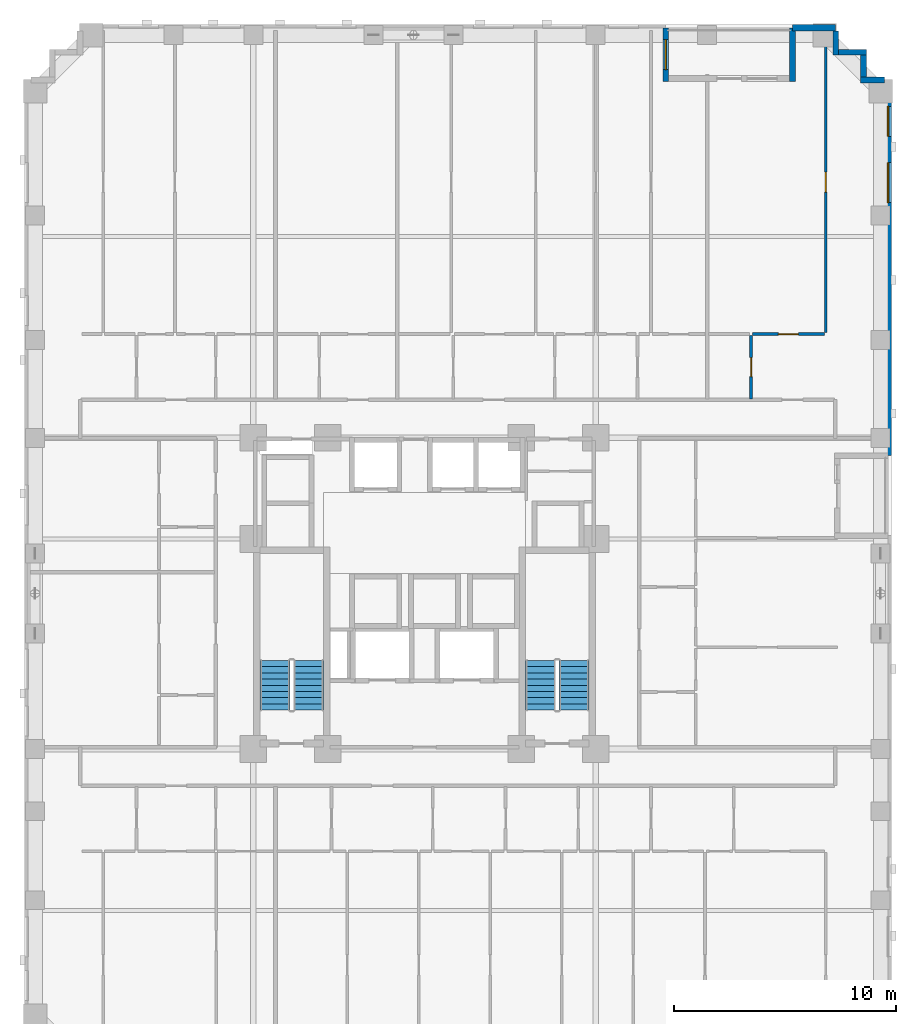
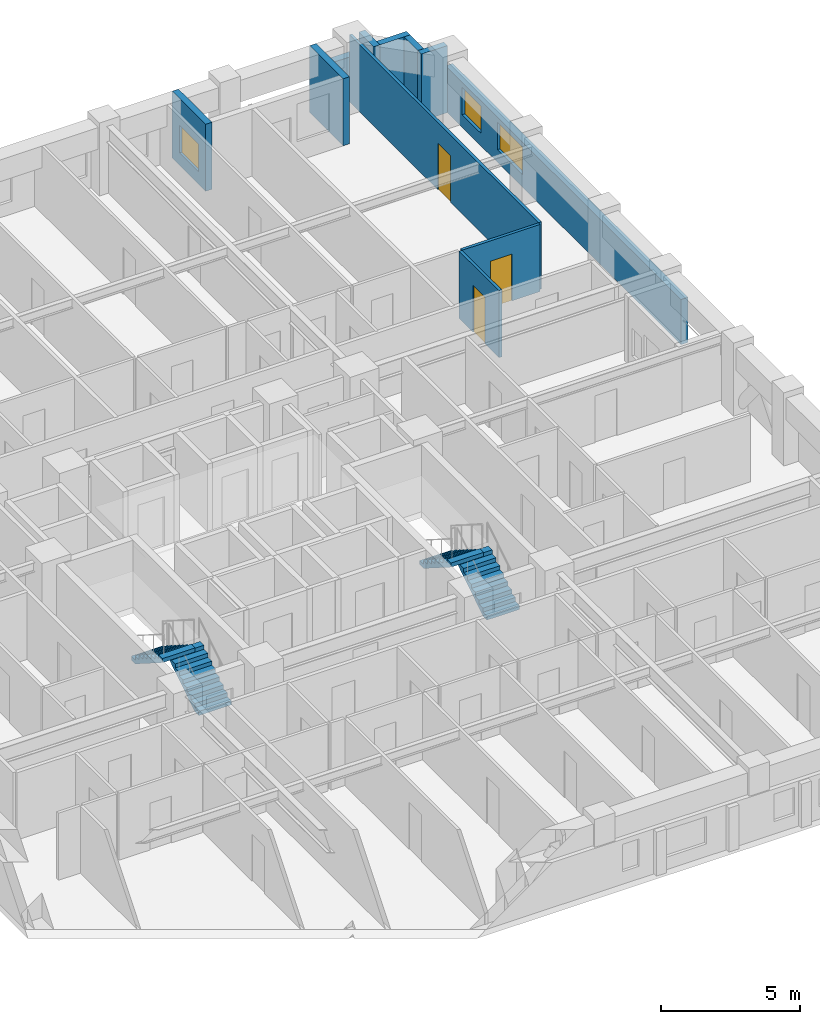
# One storey, part 9 of 14: 11 walls, 4 stair flights, 3 doors, 3 windows, 6 openings, 2 elements without a shape of their own.
"""IFC4 building model written with IfcOpenShell, lengths in metres."""

from ifc_helpers import new_model, si_unit, derived_unit, direction, frame, frame_2d, origin, place, context, subcontext, project, spatial, polyline, rectangle, outline, extrude, material, layer, layer_set, type_object, element, fill, aggregate, save


model = new_model("IFC4")

# Units and contexts
model_context = context("Model", 3, precision=1e-05, world=origin(), true_north=direction((0.0, 1.0)))
body_context = subcontext(model_context, "Body", "Model", "MODEL_VIEW")
ifc_project = project(units=[si_unit("LENGTHUNIT", "METRE"), si_unit("AREAUNIT", "SQUARE_METRE"), si_unit("VOLUMEUNIT", "CUBIC_METRE"), si_unit("PLANEANGLEUNIT", "RADIAN"), si_unit("MASSUNIT", "GRAM", prefix="KILO"), derived_unit("THERMALTRANSMITTANCEUNIT", [(si_unit("MASSUNIT", "GRAM", prefix="KILO"), 1), (si_unit("TIMEUNIT", "SECOND"), -3), (si_unit("THERMODYNAMICTEMPERATUREUNIT", "KELVIN"), -1)])], contexts=[model_context])

# Site, building, storey
site_placement = place(None, origin())
site = spatial("IfcSite", under=ifc_project, at=site_placement, CompositionType="ELEMENT")
building_placement = place(site_placement, origin())
building = spatial("IfcBuilding", under=site, at=building_placement, Name="Korrvale Station Residences", CompositionType="ELEMENT")
storey_placement = place(building_placement, frame((0.0, 0.0, 61.0)))
storey = spatial("IfcBuildingStorey", under=building, at=storey_placement, Name="L16", CompositionType="ELEMENT", Elevation=61.0)

# Wall, opening, window
ifc_material_1 = material(Name="Precast concrete C45/55", Category="concrete")
ifc_layer_1 = layer(ifc_material_1, 0.260009765625, Name="Precast concrete C45/55")
ifc_layer_set_1 = layer_set([ifc_layer_1], Name="Precast concrete C45/55")
wall_type_1 = type_object("IfcWallType", Name="WAL-EXT-LOG260", PredefinedType="SOLIDWALL", material=ifc_layer_set_1)
wall_1_placement = place(storey_placement, frame((36.35009765625, 47.43994140625, 0.0), z_axis=(0.0, 0.0, 1.0), x_axis=(0.0, -1.0, 0.0)))
wall_1 = element("IfcWall", 1, at=wall_1_placement, inside=storey, type_object=wall_type_1, Name="L16 Recessed Loggia Wall BAL-L16-N1-L", PredefinedType="SOLIDWALL", context=body_context, shape_type="SweptSolid", body=[
    extrude(rectangle(XDim=2.39990234375, YDim=0.260009765625, at=frame_2d((1.199951171875, 0.0))), origin(), (0.0, 0.0, 1.0), 2.93994140625),
])
opening_1_placement = place(wall_1_placement, frame((0.52490234375, 0.0, 0.550048828125)))
opening_1 = element("IfcOpeningElement", 2, at=opening_1_placement, cuts=wall_1, Name="Opening W-10", PredefinedType="OPENING", context=body_context, shape_type="SweptSolid", body=[
    extrude(rectangle(XDim=1.35009765625, YDim=1.199951171875, at=frame_2d((0.675048828125, 0.60009765625))), frame((0.0, 0.14013671875, 0.0), z_axis=(0.0, -1.0, 0.0), x_axis=(1.0, 0.0, 0.0)), (0.0, 0.0, 1.0), 0.280029296875),
])
ifc_material_2 = material(Name="Thermally broken aluminium frame with triple low-e glazing", Category="aluminium")
window_type_1 = type_object("IfcWindowType", Name="WIN-W10", PartitioningType="SINGLE_PANEL", PredefinedType="WINDOW", material=ifc_material_2)
window_1_placement = place(opening_1_placement, origin())
window_1 = element("IfcWindow", 3, at=window_1_placement, inside=storey, type_object=window_type_1, Name="L16 Punched Window 21", OverallHeight=1.199951171875, OverallWidth=1.35009765625, PartitioningType="SINGLE_PANEL", PredefinedType="WINDOW", context=body_context, shape_type="SweptSolid", body=[
    extrude(rectangle(XDim=1.35009765625, YDim=1.199951171875, at=frame_2d((0.675048828125, 0.60009765625))), frame((0.0, 0.030029296875, 0.0), z_axis=(0.0, -1.0, 0.0), x_axis=(1.0, 0.0, 0.0)), (0.0, 0.0, 1.0), 0.06005859375),
])
fill(opening_1, window_1)

# Walls
wall_2_placement = place(storey_placement, frame((42.050048828125, 45.0400390625, 0.0), z_axis=(0.0, 0.0, 1.0), x_axis=(0.0, 1.0, 0.0)))
element("IfcWall", 4, at=wall_2_placement, inside=storey, type_object=wall_type_1, Name="L16 Recessed Loggia Wall BAL-L16-N1-R", PredefinedType="SOLIDWALL", context=body_context, shape_type="SweptSolid", body=[
    extrude(rectangle(XDim=2.39990234375, YDim=0.260009765625, at=frame_2d((1.199951171875, 0.0))), origin(), (0.0, 0.0, 1.0), 2.93994140625),
])
wall_3_placement = place(storey_placement, frame((44.0, 47.298095703125, 0.0), z_axis=(0.0, 0.0, 1.0), x_axis=(0.0, -1.0, 0.0)))
element("IfcWall", 5, at=wall_3_placement, inside=storey, type_object=wall_type_1, Name="L16 Serrated Corner Precast Step NE-1", PredefinedType="SOLIDWALL", context=body_context, shape_type="SweptSolid", body=[
    extrude(rectangle(XDim=1.078125, YDim=0.260009765625, at=frame_2d((0.5390625, 0.0))), origin(), (0.0, 0.0, 1.0), 2.93994140625),
])
wall_4_placement = place(storey_placement, frame((44.132080078125, 46.35009765625, 0.0), z_axis=(0.0, 0.0, 1.0), x_axis=(1.0, 0.0, 0.0)))
element("IfcWall", 6, at=wall_4_placement, inside=storey, type_object=wall_type_1, Name="L16 Serrated Corner Precast Step NE-2", PredefinedType="SOLIDWALL", context=body_context, shape_type="SweptSolid", body=[
    extrude(rectangle(XDim=1.247802734375, YDim=0.260009765625, at=frame_2d((0.6240234375, 0.0))), origin(), (0.0, 0.0, 1.0), 2.93994140625),
])
wall_5_placement = place(storey_placement, frame((45.25, 46.218017578125, 0.0), z_axis=(0.0, 0.0, 1.0), x_axis=(0.0, -1.0, 0.0)))
element("IfcWall", 7, at=wall_5_placement, inside=storey, type_object=wall_type_1, Name="L16 Serrated Corner Precast Step NE-3", PredefinedType="SOLIDWALL", context=body_context, shape_type="SweptSolid", body=[
    extrude(rectangle(XDim=0.986083984375, YDim=0.260009765625, at=frame_2d((0.4931640625, 0.0))), origin(), (0.0, 0.0, 1.0), 2.93994140625),
])
wall_6_placement = place(storey_placement, frame((45.1201171875, 45.10009765625, 0.0), z_axis=(0.0, 0.0, 1.0), x_axis=(1.0, 0.0, 0.0)))
element("IfcWall", 8, at=wall_6_placement, inside=storey, type_object=wall_type_1, Name="L16 Serrated Corner Precast Step NE-4", PredefinedType="SOLIDWALL", context=body_context, shape_type="SweptSolid", body=[
    extrude(rectangle(XDim=1.077880859375, YDim=0.260009765625, at=frame_2d((0.5390625, 0.0))), origin(), (0.0, 0.0, 1.0), 2.93994140625),
])
ifc_layer_2 = layer(ifc_material_1, 0.300048828125, Name="Precast concrete C45/55")
ifc_layer_set_2 = layer_set([ifc_layer_2], Name="Precast concrete C45/55")
wall_type_2 = type_object("IfcWallType", Name="WAL-EXT-PC300", PredefinedType="SOLIDWALL", material=ifc_layer_set_2)
wall_7_placement = place(storey_placement, frame((42.050048828125, 47.449951171875, 0.0), z_axis=(0.0, 0.0, 1.0), x_axis=(1.0, 0.0, 0.0)))
element("IfcWall", 9, at=wall_7_placement, inside=storey, type_object=wall_type_2, Name="L16 North Exterior Precast Wall 2", PredefinedType="SOLIDWALL", context=body_context, shape_type="SweptSolid", body=[
    extrude(rectangle(XDim=1.949951171875, YDim=0.300048828125, at=frame_2d((0.97509765625, 0.0))), origin(), (0.0, 0.0, 1.0), 1.97509765625),
])

# Wall, openings, windows
wall_8_placement = place(storey_placement, frame((46.35009765625, 45.10009765625, 0.0), z_axis=(0.0, 0.0, 1.0), x_axis=(0.0, -1.0, 0.0)))
wall_8 = element("IfcWall", 10, at=wall_8_placement, inside=storey, type_object=wall_type_2, Name="L16 East Exterior Precast Wall 1", PredefinedType="SOLIDWALL", context=body_context, shape_type="SweptSolid", body=[
    extrude(rectangle(XDim=16.900146484375, YDim=0.300048828125, at=frame_2d((8.4501953125, 0.0))), origin(), (0.0, 0.0, 1.0), 1.97509765625),
])
opening_2_placement = place(wall_8_placement, frame((3.715087890625, 0.0, 0.550048828125)))
opening_2 = element("IfcOpeningElement", 11, at=opening_2_placement, cuts=wall_8, Name="Opening W-09", PredefinedType="OPENING", context=body_context, shape_type="SweptSolid", body=[
    extrude(rectangle(XDim=1.800048828125, YDim=1.199951171875, at=frame_2d((0.89990234375, 0.60009765625))), frame((0.0, 0.16015625, 0.0), z_axis=(0.0, -1.0, 0.0), x_axis=(1.0, 0.0, 0.0)), (0.0, 0.0, 1.0), 0.320068359375),
])
opening_3_placement = place(wall_8_placement, frame((1.18505859375, 0.0, 0.550048828125)))
opening_3 = element("IfcOpeningElement", 12, at=opening_3_placement, cuts=wall_8, Name="Opening W-10", PredefinedType="OPENING", context=body_context, shape_type="SweptSolid", body=[
    extrude(rectangle(XDim=1.35009765625, YDim=1.199951171875, at=frame_2d((0.675048828125, 0.60009765625))), frame((0.0, 0.16015625, 0.0), z_axis=(0.0, -1.0, 0.0), x_axis=(1.0, 0.0, 0.0)), (0.0, 0.0, 1.0), 0.320068359375),
])
window_type_2 = type_object("IfcWindowType", Name="WIN-W09", PartitioningType="DOUBLE_PANEL_VERTICAL", PredefinedType="WINDOW", material=ifc_material_2)
window_2_placement = place(opening_2_placement, origin())
window_2 = element("IfcWindow", 13, at=window_2_placement, inside=storey, type_object=window_type_2, Name="L16 Punched Window 23", OverallHeight=1.199951171875, OverallWidth=1.800048828125, PartitioningType="DOUBLE_PANEL_VERTICAL", PredefinedType="WINDOW", context=body_context, shape_type="SweptSolid", body=[
    extrude(rectangle(XDim=1.800048828125, YDim=1.199951171875, at=frame_2d((0.89990234375, 0.60009765625))), frame((0.0, 0.030029296875, 0.0), z_axis=(0.0, -1.0, 0.0), x_axis=(1.0, 0.0, 0.0)), (0.0, 0.0, 1.0), 0.06005859375),
])
fill(opening_2, window_2)
window_3_placement = place(opening_3_placement, origin())
window_3 = element("IfcWindow", 14, at=window_3_placement, inside=storey, type_object=window_type_1, Name="L16 Punched Window 24", OverallHeight=1.199951171875, OverallWidth=1.35009765625, PartitioningType="SINGLE_PANEL", PredefinedType="WINDOW", context=body_context, shape_type="SweptSolid", body=[
    extrude(rectangle(XDim=1.35009765625, YDim=1.199951171875, at=frame_2d((0.675048828125, 0.60009765625))), frame((0.0, 0.030029296875, 0.0), z_axis=(0.0, -1.0, 0.0), x_axis=(1.0, 0.0, 0.0)), (0.0, 0.0, 1.0), 0.06005859375),
])
fill(opening_3, window_3)

# Wall, opening, door
ifc_material_3 = material(Name="Acoustic steel-stud gypsum board partition", Category="steel")
ifc_layer_3 = layer(ifc_material_3, 0.1201171875, Name="Acoustic steel-stud gypsum board partition")
ifc_layer_set_3 = layer_set([ifc_layer_3], Name="Acoustic steel-stud gypsum board partition")
wall_type_3 = type_object("IfcWallType", Name="WAL-PART-125", PredefinedType="PARTITIONING", material=ifc_layer_set_3)
wall_9_placement = place(storey_placement, frame((40.18994140625, 30.760009765625, 0.0), z_axis=(0.0, 0.0, 1.0), x_axis=(0.0, 1.0, 0.0)))
wall_9 = element("IfcWall", 15, at=wall_9_placement, inside=storey, type_object=wall_type_3, Name="L16 Suite Partition U06-V01", PredefinedType="PARTITIONING", context=body_context, shape_type="SweptSolid", body=[
    extrude(rectangle(XDim=2.85009765625, YDim=0.1201171875, at=frame_2d((1.425048828125, 0.0))), origin(), (0.0, 0.0, 1.0), 2.93994140625),
])
opening_4_placement = place(wall_9_placement, frame((0.9951171875, 0.0, 0.0)))
opening_4 = element("IfcOpeningElement", 16, at=opening_4_placement, cuts=wall_9, Name="Opening DB-860", PredefinedType="OPENING", context=body_context, shape_type="SweptSolid", body=[
    extrude(rectangle(XDim=0.860107421875, YDim=2.050048828125, at=frame_2d((0.43017578125, 1.02490234375))), frame((0.0, 0.070068359375, 0.0), z_axis=(0.0, -1.0, 0.0), x_axis=(1.0, 0.0, 0.0)), (0.0, 0.0, 1.0), 0.14013671875),
])
ifc_material_4 = material(Name="Moisture-resistant solid-core bathroom door", Category="timber")
door_type_1 = type_object("IfcDoorType", Name="DR-BATH-860", OperationType="NOTDEFINED", PredefinedType="DOOR", material=ifc_material_4)
door_1_placement = place(opening_4_placement, origin())
door_1 = element("IfcDoor", 17, at=door_1_placement, inside=storey, type_object=door_type_1, Name="L16 Studio Apartment L16-U06 Bathroom Door", OperationType="SINGLE_SWING_LEFT", OverallHeight=2.050048828125, OverallWidth=0.860107421875, PredefinedType="DOOR", context=body_context, shape_type="SweptSolid", body=[
    extrude(rectangle(XDim=0.860107421875, YDim=2.050048828125, at=frame_2d((0.43017578125, 1.02490234375))), frame((0.0, 0.02490234375, 0.0), z_axis=(0.0, -1.0, 0.0), x_axis=(1.0, 0.0, 0.0)), (0.0, 0.0, 1.0), 0.050048828125),
])
fill(opening_4, door_1)

wall_10_placement = place(storey_placement, frame((40.25, 33.669921875, 0.0), z_axis=(0.0, 0.0, 1.0), x_axis=(1.0, 0.0, 0.0)))
wall_10 = element("IfcWall", 18, at=wall_10_placement, inside=storey, type_object=wall_type_3, Name="L16 Suite Partition U06-H12", PredefinedType="PARTITIONING", context=body_context, shape_type="SweptSolid", body=[
    extrude(rectangle(XDim=3.239990234375, YDim=0.1201171875, at=frame_2d((1.6201171875, 0.0))), origin(), (0.0, 0.0, 1.0), 2.93994140625),
])
opening_5_placement = place(wall_10_placement, frame((1.169921875, 0.0, 0.0)))
opening_5 = element("IfcOpeningElement", 19, at=opening_5_placement, cuts=wall_10, Name="Opening DI-900", PredefinedType="OPENING", context=body_context, shape_type="SweptSolid", body=[
    extrude(rectangle(XDim=0.89990234375, YDim=2.050048828125, at=frame_2d((0.449951171875, 1.02490234375))), frame((0.0, 0.070068359375, 0.0), z_axis=(0.0, -1.0, 0.0), x_axis=(1.0, 0.0, 0.0)), (0.0, 0.0, 1.0), 0.14013671875),
])
ifc_material_5 = material(Name="Painted solid-core timber interior room door", Category="wood")
door_type_2 = type_object("IfcDoorType", Name="DR-INT-900", OperationType="NOTDEFINED", PredefinedType="DOOR", material=ifc_material_5)
door_2_placement = place(opening_5_placement, origin())
door_2 = element("IfcDoor", 20, at=door_2_placement, inside=storey, type_object=door_type_2, Name="L16 Studio Apartment L16-U06 Kitchen Door", OperationType="SINGLE_SWING_RIGHT", OverallHeight=2.050048828125, OverallWidth=0.89990234375, PredefinedType="DOOR", context=body_context, shape_type="SweptSolid", body=[
    extrude(rectangle(XDim=0.89990234375, YDim=2.050048828125, at=frame_2d((0.449951171875, 1.02490234375))), frame((0.0, 0.02490234375, 0.0), z_axis=(0.0, -1.0, 0.0), x_axis=(1.0, 0.0, 0.0)), (0.0, 0.0, 1.0), 0.050048828125),
])
fill(opening_5, door_2)

wall_11_placement = place(storey_placement, frame((43.550048828125, 33.72998046875, 0.0), z_axis=(0.0, 0.0, 1.0), x_axis=(0.0, 1.0, 0.0)))
wall_11 = element("IfcWall", 21, at=wall_11_placement, inside=storey, type_object=wall_type_3, Name="L16 Suite Partition U06-V23", PredefinedType="PARTITIONING", context=body_context, shape_type="SweptSolid", body=[
    extrude(rectangle(XDim=13.590087890625, YDim=0.1201171875, at=frame_2d((6.794921875, 0.0))), origin(), (0.0, 0.0, 1.0), 2.93994140625),
])
opening_6_placement = place(wall_11_placement, frame((6.330078125, 0.0, 0.0)))
opening_6 = element("IfcOpeningElement", 22, at=opening_6_placement, cuts=wall_11, Name="Opening DI-900", PredefinedType="OPENING", context=body_context, shape_type="SweptSolid", body=[
    extrude(rectangle(XDim=0.89990234375, YDim=2.050048828125, at=frame_2d((0.449951171875, 1.02490234375))), frame((0.0, 0.070068359375, 0.0), z_axis=(0.0, -1.0, 0.0), x_axis=(1.0, 0.0, 0.0)), (0.0, 0.0, 1.0), 0.14013671875),
])
door_3_placement = place(opening_6_placement, origin())
door_3 = element("IfcDoor", 23, at=door_3_placement, inside=storey, type_object=door_type_2, Name="L16 Studio Apartment L16-U06 Studio Living Room Door", OperationType="SINGLE_SWING_LEFT", OverallHeight=2.050048828125, OverallWidth=0.89990234375, PredefinedType="DOOR", context=body_context, shape_type="SweptSolid", body=[
    extrude(rectangle(XDim=0.89990234375, YDim=2.050048828125, at=frame_2d((0.449951171875, 1.02490234375))), frame((0.0, 0.02490234375, 0.0), z_axis=(0.0, -1.0, 0.0), x_axis=(1.0, 0.0, 0.0)), (0.0, 0.0, 1.0), 0.050048828125),
])
fill(opening_6, door_3)

# Stair, stair flights
ifc_material_6 = material(Name="Concrete C50/60", Category="concrete")
stair_type = type_object("IfcStairType", Name="STR-DL-1350-18R-1778", PredefinedType="HALF_TURN_STAIR", material=ifc_material_6)
stair_1_placement = place(storey_placement, origin())
stair_1 = element("IfcStair", 24, at=stair_1_placement, inside=storey, type_object=stair_type, Name="L16 Exit Stair 1", PredefinedType="HALF_TURN_STAIR")
stair_flight_type = type_object("IfcStairFlightType", Name="FLT-DL-1350-18R-1778", PredefinedType="STRAIGHT", material=ifc_material_6)
stair_flight_1_placement = place(storey_placement, frame((20.27490234375, 16.75, 0.0), z_axis=(0.0, 0.0, 1.0), x_axis=(0.0, 1.0, 0.0)))
stair_flight_1 = element("IfcStairFlight", 25, at=stair_flight_1_placement, type_object=stair_flight_type, Name="ST-1 flight 1", NumberOfRisers=9, NumberOfTreads=8, PredefinedType="STRAIGHT", RiserHeight=0.177777778, TreadLength=0.28, context=body_context, shape_type="SweptSolid", body=[
    extrude(outline(polyline([(0.0, 0.0), (0.0, 0.177734375), (0.280029296875, 0.177734375), (0.280029296875, 0.35546875), (0.56005859375, 0.35546875), (0.56005859375, 0.533447265625), (0.840087890625, 0.533447265625), (0.840087890625, 0.711181640625), (1.1201171875, 0.711181640625), (1.1201171875, 0.888916015625), (1.39990234375, 0.888916015625), (1.39990234375, 1.066650390625), (1.679931640625, 1.066650390625), (1.679931640625, 1.244384765625), (1.9599609375, 1.244384765625), (1.9599609375, 1.422119140625), (2.239990234375, 1.422119140625), (2.239990234375, 1.60009765625), (2.239990234375, 1.24462890625), (0.27978515625, 0.0), (0.0, 0.0)])), frame((0.0, 0.675048828125, 0.0), z_axis=(0.0, -1.0, 0.0), x_axis=(1.0, 0.0, 0.0)), (0.0, 0.0, 1.0), 1.35009765625),
])
stair_flight_2_placement = place(storey_placement, frame((18.77490234375, 18.989990234375, 1.60009765625), z_axis=(0.0, 0.0, 1.0), x_axis=(0.0, -1.0, 0.0)))
stair_flight_2 = element("IfcStairFlight", 26, at=stair_flight_2_placement, type_object=stair_flight_type, Name="ST-1 flight 2", NumberOfRisers=9, NumberOfTreads=8, PredefinedType="STRAIGHT", RiserHeight=0.177777778, TreadLength=0.28, context=body_context, shape_type="SweptSolid", body=[
    extrude(outline(polyline([(0.0, 0.0), (0.0, 0.177734375), (0.280029296875, 0.177734375), (0.280029296875, 0.35546875), (0.56005859375, 0.35546875), (0.56005859375, 0.533447265625), (0.840087890625, 0.533447265625), (0.840087890625, 0.711181640625), (1.1201171875, 0.711181640625), (1.1201171875, 0.888916015625), (1.39990234375, 0.888916015625), (1.39990234375, 1.066650390625), (1.679931640625, 1.066650390625), (1.679931640625, 1.244384765625), (1.9599609375, 1.244384765625), (1.9599609375, 1.422119140625), (2.239990234375, 1.422119140625), (2.239990234375, 1.60009765625), (2.239990234375, 1.24462890625), (0.27978515625, 0.0), (0.0, 0.0)])), frame((0.0, 0.675048828125, 0.0), z_axis=(0.0, -1.0, 0.0), x_axis=(1.0, 0.0, 0.0)), (0.0, 0.0, 1.0), 1.35009765625),
])
aggregate(stair_1, [stair_flight_1, stair_flight_2])

stair_2_placement = place(storey_placement, origin())
stair_2 = element("IfcStair", 27, at=stair_2_placement, inside=storey, type_object=stair_type, Name="L16 Exit Stair 2", PredefinedType="HALF_TURN_STAIR")
stair_flight_3_placement = place(storey_placement, frame((32.22509765625, 16.75, 0.0), z_axis=(0.0, 0.0, 1.0), x_axis=(0.0, 1.0, 0.0)))
stair_flight_3 = element("IfcStairFlight", 28, at=stair_flight_3_placement, type_object=stair_flight_type, Name="ST-2 flight 1", NumberOfRisers=9, NumberOfTreads=8, PredefinedType="STRAIGHT", RiserHeight=0.177777778, TreadLength=0.28, context=body_context, shape_type="SweptSolid", body=[
    extrude(outline(polyline([(0.0, 0.0), (0.0, 0.177734375), (0.280029296875, 0.177734375), (0.280029296875, 0.35546875), (0.56005859375, 0.35546875), (0.56005859375, 0.533447265625), (0.840087890625, 0.533447265625), (0.840087890625, 0.711181640625), (1.1201171875, 0.711181640625), (1.1201171875, 0.888916015625), (1.39990234375, 0.888916015625), (1.39990234375, 1.066650390625), (1.679931640625, 1.066650390625), (1.679931640625, 1.244384765625), (1.9599609375, 1.244384765625), (1.9599609375, 1.422119140625), (2.239990234375, 1.422119140625), (2.239990234375, 1.60009765625), (2.239990234375, 1.24462890625), (0.27978515625, 0.0), (0.0, 0.0)])), frame((0.0, 0.675048828125, 0.0), z_axis=(0.0, -1.0, 0.0), x_axis=(1.0, 0.0, 0.0)), (0.0, 0.0, 1.0), 1.35009765625),
])
stair_flight_4_placement = place(storey_placement, frame((30.72509765625, 18.989990234375, 1.60009765625), z_axis=(0.0, 0.0, 1.0), x_axis=(0.0, -1.0, 0.0)))
stair_flight_4 = element("IfcStairFlight", 29, at=stair_flight_4_placement, type_object=stair_flight_type, Name="ST-2 flight 2", NumberOfRisers=9, NumberOfTreads=8, PredefinedType="STRAIGHT", RiserHeight=0.177777778, TreadLength=0.28, context=body_context, shape_type="SweptSolid", body=[
    extrude(outline(polyline([(0.0, 0.0), (0.0, 0.177734375), (0.280029296875, 0.177734375), (0.280029296875, 0.35546875), (0.56005859375, 0.35546875), (0.56005859375, 0.533447265625), (0.840087890625, 0.533447265625), (0.840087890625, 0.711181640625), (1.1201171875, 0.711181640625), (1.1201171875, 0.888916015625), (1.39990234375, 0.888916015625), (1.39990234375, 1.066650390625), (1.679931640625, 1.066650390625), (1.679931640625, 1.244384765625), (1.9599609375, 1.244384765625), (1.9599609375, 1.422119140625), (2.239990234375, 1.422119140625), (2.239990234375, 1.60009765625), (2.239990234375, 1.24462890625), (0.27978515625, 0.0), (0.0, 0.0)])), frame((0.0, 0.675048828125, 0.0), z_axis=(0.0, -1.0, 0.0), x_axis=(1.0, 0.0, 0.0)), (0.0, 0.0, 1.0), 1.35009765625),
])
aggregate(stair_2, [stair_flight_3, stair_flight_4])

save(model, "model.ifc")
